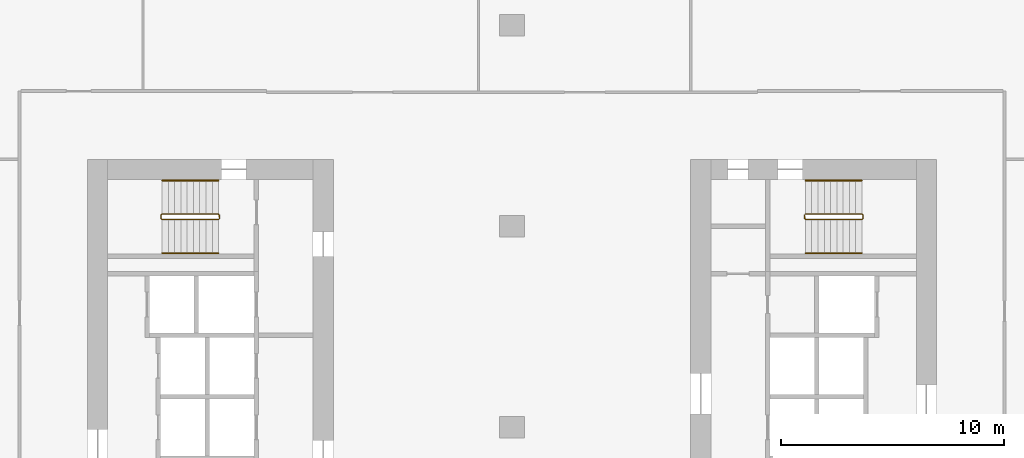
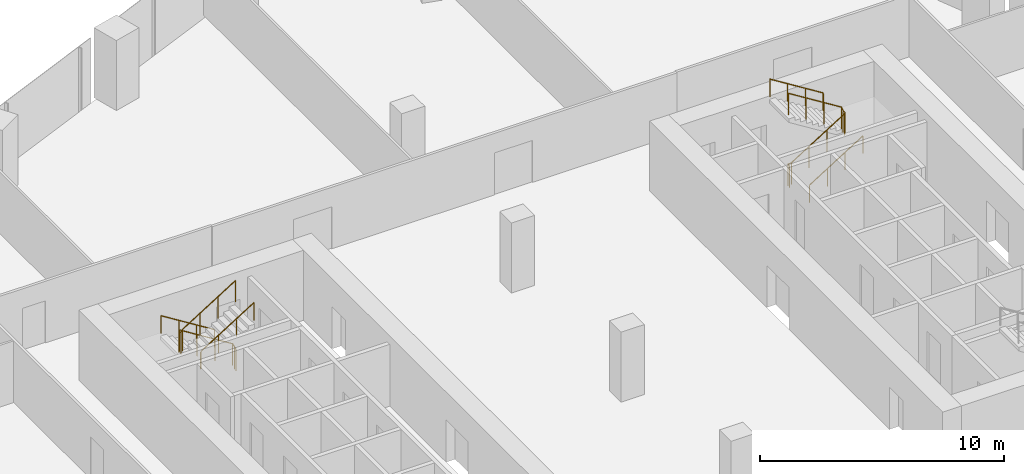
# One storey, part 34 of 34: 6 railings.
"""IFC4 building model written with IfcOpenShell, lengths in metres."""

from ifc_helpers import new_model, si_unit, direction, frame, origin, origin_2d, place, context, subcontext, project, spatial, circle, extrude, material, type_object, element, save


model = new_model("IFC4")

# Units and contexts
model_context = context("Model", 3, precision=1e-05, world=origin(), true_north=direction((0.0, 1.0)))
body_context = subcontext(model_context, "Body", "Model", "MODEL_VIEW")
ifc_project = project(units=[si_unit("LENGTHUNIT", "METRE"), si_unit("AREAUNIT", "SQUARE_METRE"), si_unit("VOLUMEUNIT", "CUBIC_METRE"), si_unit("PLANEANGLEUNIT", "RADIAN"), si_unit("MASSUNIT", "GRAM", prefix="KILO")], contexts=[model_context])

# Site, building, storey
site_placement = place(None, origin())
site = spatial("IfcSite", under=ifc_project, at=site_placement, CompositionType="ELEMENT")
building_placement = place(site_placement, origin())
building = spatial("IfcBuilding", under=site, at=building_placement, Name="Orlundy Tower", CompositionType="ELEMENT")
storey_placement = place(building_placement, frame((0.0, 0.0, 112.699951171875)))
storey = spatial("IfcBuildingStorey", under=building, at=storey_placement, Name="L28", CompositionType="ELEMENT", Elevation=112.699951171875)

# Railings
ifc_material_1 = material(Name="Steel balustrade", Category="steel")
railing_type_1 = type_object("IfcRailingType", Name="Stair Guard 1100", PredefinedType="GUARDRAIL", material=ifc_material_1)
railing_1_placement = place(storey_placement, frame((-13.090087890625, 9.5, 0.0)))
element("IfcRailing", 1, at=railing_1_placement, inside=storey, type_object=railing_type_1, Name="L28 ST-W1 stair guard 1", PredefinedType="GUARDRAIL", context=body_context, shape_type="SweptSolid", body=[
    extrude(circle(Radius=0.02392578125, at=origin_2d()), frame((0.0, 0.0, 1.076171875), z_axis=(0.0, -1.0, 0.0), x_axis=(1.0, 0.0, 0.0)), (0.0, 0.0, 1.0), 0.14990234375),
    extrude(circle(Radius=0.02392578125, at=origin_2d()), frame((0.0, -0.14990234375, 1.076171875), z_axis=(-0.18420542264, 0.739530593833, 0.647427882513), x_axis=(-0.970351222016, -0.241699205484, 0.0)), (0.0, 0.0, 1.0), 0.270263671875),
    extrude(circle(Radius=0.02392578125, at=origin_2d()), frame((-0.0498046875, 0.050048828125, 1.2509765625), z_axis=(-0.848007534815, 0.0, 0.529984170421), x_axis=(0.0, -1.0, 0.0)), (0.0, 0.0, 1.0), 2.9716796875),
    extrude(circle(Radius=0.02392578125, at=origin_2d()), frame((-2.56982421875, 0.050048828125, 2.826171875), z_axis=(-0.707106781187, -0.707106781187, 0.0), x_axis=(0.707106781187, -0.707106781187, 0.0)), (0.0, 0.0, 1.0), 0.07080078125),
    extrude(circle(Radius=0.02392578125, at=origin_2d()), frame((-2.619873046875, 0.0, 2.826171875), z_axis=(0.0, -1.0, 0.0), x_axis=(1.0, 0.0, 0.0)), (0.0, 0.0, 1.0), 0.14990234375),
    extrude(circle(Radius=0.02392578125, at=origin_2d()), frame((-2.619873046875, -0.14990234375, 2.826171875), z_axis=(0.265065253269, -0.265065253269, 0.927081885822), x_axis=(0.707106781187, 0.707106781187, 0.0)), (0.0, 0.0, 1.0), 0.188720703125),
    extrude(circle(Radius=0.02392578125, at=origin_2d()), frame((-2.56982421875, -0.199951171875, 3.0009765625), z_axis=(0.848007534815, 0.0, 0.529984170421), x_axis=(0.0, 1.0, 0.0)), (0.0, 0.0, 1.0), 2.9716796875),
    extrude(circle(Radius=0.02099609375, at=origin_2d()), origin(), (0.0, 0.0, 1.0), 1.052001953125),
    extrude(circle(Radius=0.02099609375, at=origin_2d()), frame((0.0, -0.14990234375, 0.0)), (0.0, 0.0, 1.0), 1.052001953125),
    extrude(circle(Radius=0.02099609375, at=origin_2d()), frame((-0.0498046875, 0.050048828125, 0.175048828125)), (0.0, 0.0, 1.0), 1.052001953125),
    extrude(circle(Radius=0.02099609375, at=origin_2d()), frame((-0.889892578125, 0.050048828125, 0.699951171875)), (0.0, 0.0, 1.0), 1.052001953125),
    extrude(circle(Radius=0.02099609375, at=origin_2d()), frame((-1.729736328125, 0.050048828125, 1.22509765625)), (0.0, 0.0, 1.0), 1.052001953125),
    extrude(circle(Radius=0.02099609375, at=origin_2d()), frame((-2.56982421875, 0.050048828125, 1.75)), (0.0, 0.0, 1.0), 1.052001953125),
    extrude(circle(Radius=0.02099609375, at=origin_2d()), frame((-2.619873046875, 0.0, 1.75)), (0.0, 0.0, 1.0), 1.052001953125),
    extrude(circle(Radius=0.02099609375, at=origin_2d()), frame((-2.619873046875, -0.14990234375, 1.75)), (0.0, 0.0, 1.0), 1.052001953125),
    extrude(circle(Radius=0.02099609375, at=origin_2d()), frame((-2.56982421875, -0.199951171875, 1.925048828125)), (0.0, 0.0, 1.0), 1.052001953125),
    extrude(circle(Radius=0.02099609375, at=origin_2d()), frame((-1.729736328125, -0.199951171875, 2.449951171875)), (0.0, 0.0, 1.0), 1.052001953125),
    extrude(circle(Radius=0.02099609375, at=origin_2d()), frame((-0.889892578125, -0.199951171875, 2.97509765625)), (0.0, 0.0, 1.0), 1.052001953125),
    extrude(circle(Radius=0.02099609375, at=origin_2d()), frame((-0.0498046875, -0.199951171875, 3.5)), (0.0, 0.0, 1.0), 1.052001953125),
])
railing_2_placement = place(storey_placement, frame((13.090087890625, 9.35009765625, 0.0)))
element("IfcRailing", 2, at=railing_2_placement, inside=storey, type_object=railing_type_1, Name="L28 ST-E2 stair guard 1", PredefinedType="GUARDRAIL", context=body_context, shape_type="SweptSolid", body=[
    extrude(circle(Radius=0.02392578125, at=origin_2d()), frame((0.0, 0.0, 1.076171875), z_axis=(0.0, 1.0, 0.0), x_axis=(-1.0, 0.0, 0.0)), (0.0, 0.0, 1.0), 0.14990234375),
    extrude(circle(Radius=0.02392578125, at=origin_2d()), frame((0.0, 0.14990234375, 1.076171875), z_axis=(0.18420542264, -0.739530593833, 0.647427882513), x_axis=(0.970351222016, 0.241699205484, 0.0)), (0.0, 0.0, 1.0), 0.270263671875),
    extrude(circle(Radius=0.02392578125, at=origin_2d()), frame((0.0498046875, -0.050048828125, 1.2509765625), z_axis=(0.848007534815, 0.0, 0.529984170421), x_axis=(0.0, 1.0, 0.0)), (0.0, 0.0, 1.0), 2.9716796875),
    extrude(circle(Radius=0.02392578125, at=origin_2d()), frame((2.56982421875, -0.050048828125, 2.826171875), z_axis=(0.707106781187, 0.707106781187, 0.0), x_axis=(-0.707106781187, 0.707106781187, 0.0)), (0.0, 0.0, 1.0), 0.07080078125),
    extrude(circle(Radius=0.02392578125, at=origin_2d()), frame((2.619873046875, 0.0, 2.826171875), z_axis=(0.0, 1.0, 0.0), x_axis=(-1.0, 0.0, 0.0)), (0.0, 0.0, 1.0), 0.14990234375),
    extrude(circle(Radius=0.02392578125, at=origin_2d()), frame((2.619873046875, 0.14990234375, 2.826171875), z_axis=(-0.265065253269, 0.265065253269, 0.927081885822), x_axis=(-0.707106781187, -0.707106781187, 0.0)), (0.0, 0.0, 1.0), 0.188720703125),
    extrude(circle(Radius=0.02392578125, at=origin_2d()), frame((2.56982421875, 0.199951171875, 3.0009765625), z_axis=(-0.848007534815, 0.0, 0.529984170421), x_axis=(0.0, -1.0, 0.0)), (0.0, 0.0, 1.0), 2.9716796875),
    extrude(circle(Radius=0.02099609375, at=origin_2d()), origin(), (0.0, 0.0, 1.0), 1.052001953125),
    extrude(circle(Radius=0.02099609375, at=origin_2d()), frame((0.0, 0.14990234375, 0.0)), (0.0, 0.0, 1.0), 1.052001953125),
    extrude(circle(Radius=0.02099609375, at=origin_2d()), frame((0.0498046875, -0.050048828125, 0.175048828125)), (0.0, 0.0, 1.0), 1.052001953125),
    extrude(circle(Radius=0.02099609375, at=origin_2d()), frame((0.889892578125, -0.050048828125, 0.699951171875)), (0.0, 0.0, 1.0), 1.052001953125),
    extrude(circle(Radius=0.02099609375, at=origin_2d()), frame((1.729736328125, -0.050048828125, 1.22509765625)), (0.0, 0.0, 1.0), 1.052001953125),
    extrude(circle(Radius=0.02099609375, at=origin_2d()), frame((2.56982421875, -0.050048828125, 1.75)), (0.0, 0.0, 1.0), 1.052001953125),
    extrude(circle(Radius=0.02099609375, at=origin_2d()), frame((2.619873046875, 0.0, 1.75)), (0.0, 0.0, 1.0), 1.052001953125),
    extrude(circle(Radius=0.02099609375, at=origin_2d()), frame((2.619873046875, 0.14990234375, 1.75)), (0.0, 0.0, 1.0), 1.052001953125),
    extrude(circle(Radius=0.02099609375, at=origin_2d()), frame((2.56982421875, 0.199951171875, 1.925048828125)), (0.0, 0.0, 1.0), 1.052001953125),
    extrude(circle(Radius=0.02099609375, at=origin_2d()), frame((1.729736328125, 0.199951171875, 2.449951171875)), (0.0, 0.0, 1.0), 1.052001953125),
    extrude(circle(Radius=0.02099609375, at=origin_2d()), frame((0.889892578125, 0.199951171875, 2.97509765625)), (0.0, 0.0, 1.0), 1.052001953125),
    extrude(circle(Radius=0.02099609375, at=origin_2d()), frame((0.0498046875, 0.199951171875, 3.5)), (0.0, 0.0, 1.0), 1.052001953125),
])
ifc_material_2 = material(Name="Steel handrail", Category="steel")
railing_type_2 = type_object("IfcRailingType", Name="Stair Handrail 900", PredefinedType="HANDRAIL", material=ifc_material_2)
railing_3_placement = place(storey_placement, frame((-13.139892578125, 11.050048828125, 0.175048828125)))
element("IfcRailing", 3, at=railing_3_placement, inside=storey, type_object=railing_type_2, Name="L28 ST-W1 stair handrail 1", PredefinedType="HANDRAIL", context=body_context, shape_type="SweptSolid", body=[
    extrude(circle(Radius=0.02392578125, at=origin_2d()), frame((0.0, 0.0, 0.8759765625), z_axis=(-0.848007534815, 0.0, 0.529984170421), x_axis=(0.0, -1.0, 0.0)), (0.0, 0.0, 1.0), 2.9716796875),
    extrude(circle(Radius=0.02099609375, at=origin_2d()), origin(), (0.0, 0.0, 1.0), 0.851806640625),
    extrude(circle(Radius=0.02099609375, at=origin_2d()), frame((-0.840087890625, 0.0, 0.52490234375)), (0.0, 0.0, 1.0), 0.851806640625),
    extrude(circle(Radius=0.02099609375, at=origin_2d()), frame((-1.679931640625, 0.0, 1.050048828125)), (0.0, 0.0, 1.0), 0.851806640625),
    extrude(circle(Radius=0.02099609375, at=origin_2d()), frame((-2.52001953125, 0.0, 1.574951171875)), (0.0, 0.0, 1.0), 0.851806640625),
])
for number, where, name in (
    (4, (-15.659912109375, 7.800048828125, 1.925048828125), "L28 ST-W1 stair handrail 2"),
    (5, (13.139892578125, 7.800048828125, 0.175048828125), "L28 ST-E2 stair handrail 1"),
):
    element("IfcRailing", number, at=place(storey_placement, frame(where)), inside=storey, type_object=railing_type_2, Name=name, PredefinedType="HANDRAIL", context=body_context, shape_type="SweptSolid", body=[
        extrude(circle(Radius=0.02392578125, at=origin_2d()), frame((0.0, 0.0, 0.8759765625), z_axis=(0.848007534815, 0.0, 0.529984170421), x_axis=(0.0, 1.0, 0.0)), (0.0, 0.0, 1.0), 2.9716796875),
        extrude(circle(Radius=0.02099609375, at=origin_2d()), origin(), (0.0, 0.0, 1.0), 0.851806640625),
        extrude(circle(Radius=0.02099609375, at=origin_2d()), frame((0.840087890625, 0.0, 0.52490234375)), (0.0, 0.0, 1.0), 0.851806640625),
        extrude(circle(Radius=0.02099609375, at=origin_2d()), frame((1.679931640625, 0.0, 1.050048828125)), (0.0, 0.0, 1.0), 0.851806640625),
        extrude(circle(Radius=0.02099609375, at=origin_2d()), frame((2.52001953125, 0.0, 1.574951171875)), (0.0, 0.0, 1.0), 0.851806640625),
    ])
railing_4_placement = place(storey_placement, frame((15.659912109375, 11.050048828125, 1.925048828125)))
element("IfcRailing", 6, at=railing_4_placement, inside=storey, type_object=railing_type_2, Name="L28 ST-E2 stair handrail 2", PredefinedType="HANDRAIL", context=body_context, shape_type="SweptSolid", body=[
    extrude(circle(Radius=0.02392578125, at=origin_2d()), frame((0.0, 0.0, 0.8759765625), z_axis=(-0.848007534815, 0.0, 0.529984170421), x_axis=(0.0, -1.0, 0.0)), (0.0, 0.0, 1.0), 2.9716796875),
    extrude(circle(Radius=0.02099609375, at=origin_2d()), origin(), (0.0, 0.0, 1.0), 0.851806640625),
    extrude(circle(Radius=0.02099609375, at=origin_2d()), frame((-0.840087890625, 0.0, 0.52490234375)), (0.0, 0.0, 1.0), 0.851806640625),
    extrude(circle(Radius=0.02099609375, at=origin_2d()), frame((-1.679931640625, 0.0, 1.050048828125)), (0.0, 0.0, 1.0), 0.851806640625),
    extrude(circle(Radius=0.02099609375, at=origin_2d()), frame((-2.52001953125, 0.0, 1.574951171875)), (0.0, 0.0, 1.0), 0.851806640625),
])

save(model, "model.ifc")
